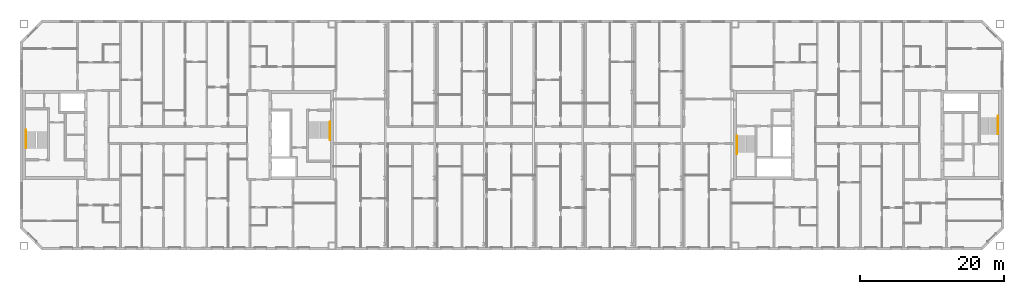
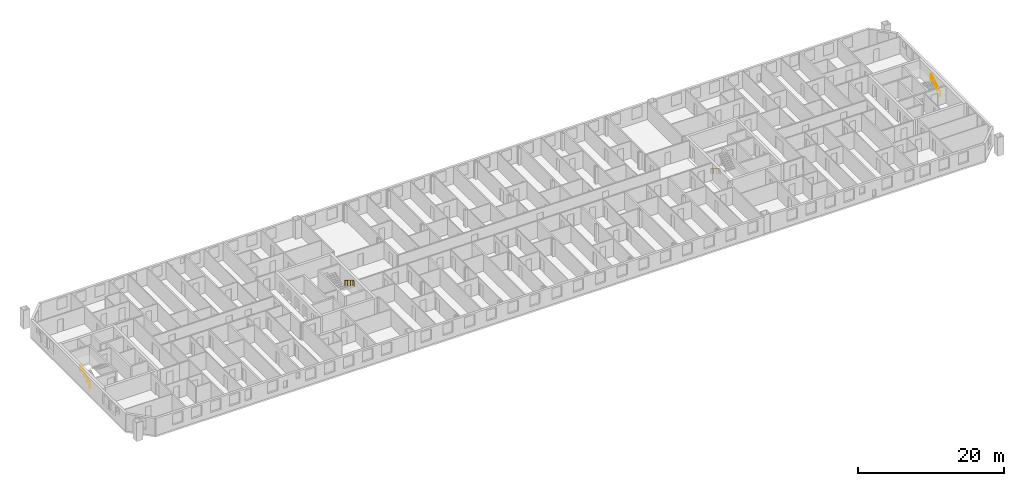
# One storey, part 19 of 19: 4 railings.
"""IFC4 building model written with IfcOpenShell, lengths in metres."""

from ifc_helpers import new_model, si_unit, direction, frame, origin, origin_2d, place, context, subcontext, project, spatial, circle, extrude, material, type_object, element, save


model = new_model("IFC4")

# Units and contexts
model_context = context("Model", 3, precision=1e-05, world=origin(), true_north=direction((0.0, 1.0)))
body_context = subcontext(model_context, "Body", "Model", "MODEL_VIEW")
ifc_project = project(units=[si_unit("LENGTHUNIT", "METRE"), si_unit("AREAUNIT", "SQUARE_METRE"), si_unit("VOLUMEUNIT", "CUBIC_METRE"), si_unit("PLANEANGLEUNIT", "RADIAN"), si_unit("MASSUNIT", "GRAM", prefix="KILO")], contexts=[model_context])

# Site, building, storey
site_placement = place(None, origin())
site = spatial("IfcSite", under=ifc_project, at=site_placement, CompositionType="ELEMENT")
building_placement = place(site_placement, origin())
building = spatial("IfcBuilding", under=site, at=building_placement, Name="Tuart Gate Housing", CompositionType="ELEMENT")
storey_placement = place(building_placement, frame((0.0, 0.0, 230.699951171875)))
storey = spatial("IfcBuildingStorey", under=building, at=storey_placement, Name="L65", CompositionType="ELEMENT", Elevation=230.699951171875)

# Railings
ifc_material = material(Name="Stainless steel", Category="steel")
railing_type = type_object("IfcRailingType", Name="Stair handrail 900", PredefinedType="HANDRAIL", material=ifc_material)
railing_1_placement = place(storey_placement, frame((75.179931640625, 71.824951171875, 0.17236328125)))
element("IfcRailing", 1, at=railing_1_placement, inside=storey, type_object=railing_type, Name="Stair handrail SA1.1", PredefinedType="HANDRAIL", context=body_context, shape_type="SweptSolid", body=[
    extrude(circle(Radius=0.02392578125, at=origin_2d()), frame((0.0, 0.0, 0.8759765625), z_axis=(0.0, -0.85178898068, 0.523885037382), x_axis=(1.0, 0.0, 0.0)), (0.0, 0.0, 1.0), 2.629638671875),
    extrude(circle(Radius=0.02392578125, at=origin_2d()), frame((0.0, -2.239990234375, 2.25341796875), z_axis=(0.0, -1.0, 0.0), x_axis=(1.0, 0.0, 0.0)), (0.0, 0.0, 1.0), 0.300048828125),
    extrude(circle(Radius=0.02099609375, at=origin_2d()), origin(), (0.0, 0.0, 1.0), 0.851806640625),
    extrude(circle(Radius=0.02099609375, at=origin_2d()), frame((0.0, -0.74658203125, 0.459228515625)), (0.0, 0.0, 1.0), 0.851806640625),
    extrude(circle(Radius=0.02099609375, at=origin_2d()), frame((0.0, -1.493408203125, 0.91845703125)), (0.0, 0.0, 1.0), 0.851806640625),
    extrude(circle(Radius=0.02099609375, at=origin_2d()), frame((0.0, -2.239990234375, 1.377685546875)), (0.0, 0.0, 1.0), 0.851806640625),
    extrude(circle(Radius=0.02099609375, at=origin_2d()), frame((0.0, -2.5400390625, 1.377685546875)), (0.0, 0.0, 1.0), 0.851806640625),
])
railing_2_placement = place(storey_placement, frame((32.820068359375, 68.175048828125, 0.17236328125)))
element("IfcRailing", 2, at=railing_2_placement, inside=storey, type_object=railing_type, Name="Stair handrail SA2.1", PredefinedType="HANDRAIL", context=body_context, shape_type="SweptSolid", body=[
    extrude(circle(Radius=0.02392578125, at=origin_2d()), frame((0.0, 0.0, 0.8759765625), z_axis=(0.0, 0.85178898068, 0.523885037382), x_axis=(-1.0, 0.0, 0.0)), (0.0, 0.0, 1.0), 2.629638671875),
    extrude(circle(Radius=0.02392578125, at=origin_2d()), frame((0.0, 2.239990234375, 2.25341796875), z_axis=(0.0, 1.0, 0.0), x_axis=(-1.0, 0.0, 0.0)), (0.0, 0.0, 1.0), 0.300048828125),
    extrude(circle(Radius=0.02099609375, at=origin_2d()), origin(), (0.0, 0.0, 1.0), 0.851806640625),
    extrude(circle(Radius=0.02099609375, at=origin_2d()), frame((0.0, 0.74658203125, 0.459228515625)), (0.0, 0.0, 1.0), 0.851806640625),
    extrude(circle(Radius=0.02099609375, at=origin_2d()), frame((0.0, 1.493408203125, 0.91845703125)), (0.0, 0.0, 1.0), 0.851806640625),
    extrude(circle(Radius=0.02099609375, at=origin_2d()), frame((0.0, 2.239990234375, 1.377685546875)), (0.0, 0.0, 1.0), 0.851806640625),
    extrude(circle(Radius=0.02099609375, at=origin_2d()), frame((0.0, 2.5400390625, 1.377685546875)), (0.0, 0.0, 1.0), 0.851806640625),
])
railing_3_placement = place(storey_placement, frame((131.820068359375, 69.875, 0.17236328125)))
element("IfcRailing", 3, at=railing_3_placement, inside=storey, type_object=railing_type, Name="Stair handrail SB1.1", PredefinedType="HANDRAIL", context=body_context, shape_type="SweptSolid", body=[
    extrude(circle(Radius=0.02392578125, at=origin_2d()), frame((0.0, 0.0, 0.8759765625), z_axis=(0.0, -0.85178898068, 0.523885037382), x_axis=(1.0, 0.0, 0.0)), (0.0, 0.0, 1.0), 2.629638671875),
    extrude(circle(Radius=0.02392578125, at=origin_2d()), frame((0.0, -2.239990234375, 2.25341796875), z_axis=(0.0, -1.0, 0.0), x_axis=(1.0, 0.0, 0.0)), (0.0, 0.0, 1.0), 0.300048828125),
    extrude(circle(Radius=0.02099609375, at=origin_2d()), origin(), (0.0, 0.0, 1.0), 0.851806640625),
    extrude(circle(Radius=0.02099609375, at=origin_2d()), frame((0.0, -0.74658203125, 0.459228515625)), (0.0, 0.0, 1.0), 0.851806640625),
    extrude(circle(Radius=0.02099609375, at=origin_2d()), frame((0.0, -1.493408203125, 0.91845703125)), (0.0, 0.0, 1.0), 0.851806640625),
    extrude(circle(Radius=0.02099609375, at=origin_2d()), frame((0.0, -2.239990234375, 1.377685546875)), (0.0, 0.0, 1.0), 0.851806640625),
    extrude(circle(Radius=0.02099609375, at=origin_2d()), frame((0.0, -2.5400390625, 1.377685546875)), (0.0, 0.0, 1.0), 0.851806640625),
])
railing_4_placement = place(storey_placement, frame((168.179931640625, 70.125, 0.17236328125)))
element("IfcRailing", 4, at=railing_4_placement, inside=storey, type_object=railing_type, Name="Stair handrail SB2.1", PredefinedType="HANDRAIL", context=body_context, shape_type="SweptSolid", body=[
    extrude(circle(Radius=0.02392578125, at=origin_2d()), frame((0.0, 0.0, 0.8759765625), z_axis=(0.0, 0.85178898068, 0.523885037382), x_axis=(-1.0, 0.0, 0.0)), (0.0, 0.0, 1.0), 2.629638671875),
    extrude(circle(Radius=0.02392578125, at=origin_2d()), frame((0.0, 2.239990234375, 2.25341796875), z_axis=(0.0, 1.0, 0.0), x_axis=(-1.0, 0.0, 0.0)), (0.0, 0.0, 1.0), 0.300048828125),
    extrude(circle(Radius=0.02099609375, at=origin_2d()), origin(), (0.0, 0.0, 1.0), 0.851806640625),
    extrude(circle(Radius=0.02099609375, at=origin_2d()), frame((0.0, 0.74658203125, 0.459228515625)), (0.0, 0.0, 1.0), 0.851806640625),
    extrude(circle(Radius=0.02099609375, at=origin_2d()), frame((0.0, 1.493408203125, 0.91845703125)), (0.0, 0.0, 1.0), 0.851806640625),
    extrude(circle(Radius=0.02099609375, at=origin_2d()), frame((0.0, 2.239990234375, 1.377685546875)), (0.0, 0.0, 1.0), 0.851806640625),
    extrude(circle(Radius=0.02099609375, at=origin_2d()), frame((0.0, 2.5400390625, 1.377685546875)), (0.0, 0.0, 1.0), 0.851806640625),
])

save(model, "model.ifc")
